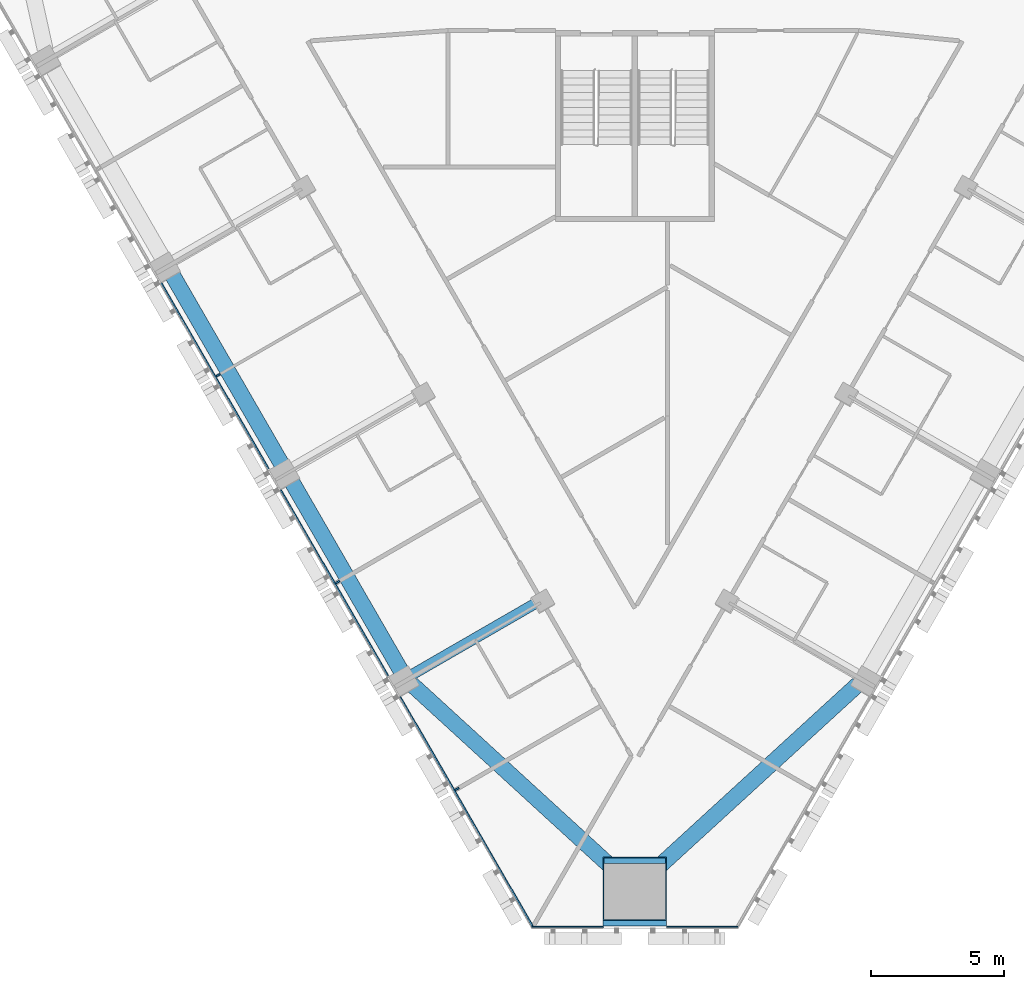
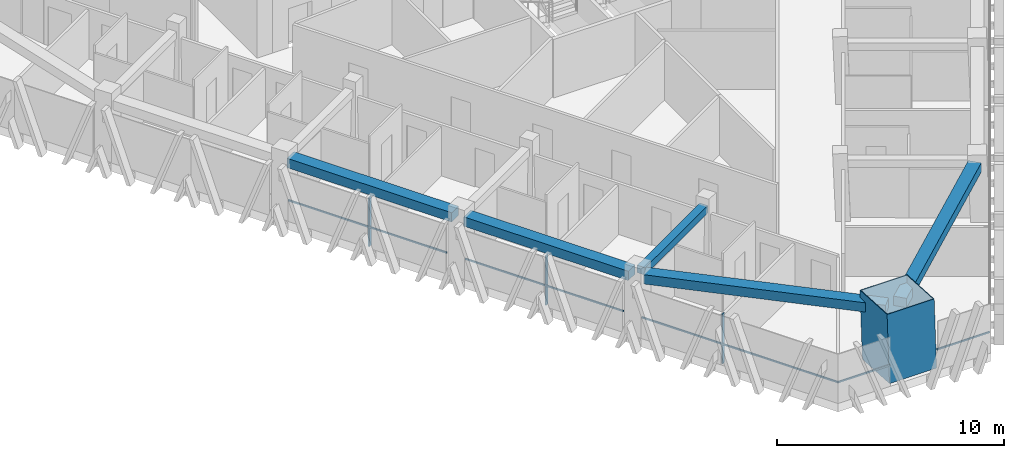
# One storey, part 2 of 16: 9 members, 5 beams, 2 elements without a shape of their own.
"""IFC4 building model written with IfcOpenShell, lengths in metres."""

from ifc_helpers import new_model, si_unit, direction, frame, origin, origin_2d, place, context, subcontext, project, spatial, rectangle, hollow_rectangle, extrude, material, layer, layer_set, material_profile, profile_set, type_object, element, aggregate, save


model = new_model("IFC4")

# Units and contexts
model_context = context("Model", 3, precision=1e-05, world=origin(), true_north=direction((0.0, 1.0)))
body_context = subcontext(model_context, "Body", "Model", "MODEL_VIEW")
ifc_project = project(units=[si_unit("LENGTHUNIT", "METRE"), si_unit("AREAUNIT", "SQUARE_METRE"), si_unit("VOLUMEUNIT", "CUBIC_METRE"), si_unit("PLANEANGLEUNIT", "RADIAN"), si_unit("MASSUNIT", "GRAM", prefix="KILO")], contexts=[model_context])

# Site, building, storey
site_placement = place(None, origin())
site = spatial("IfcSite", under=ifc_project, at=site_placement, CompositionType="ELEMENT")
building_placement = place(site_placement, origin())
building = spatial("IfcBuilding", under=site, at=building_placement, Name="Altiplano Prism Tower", CompositionType="ELEMENT")
storey_placement = place(building_placement, frame((0.0, 0.0, 131.39990234375)))
storey = spatial("IfcBuildingStorey", under=building, at=storey_placement, Name="L33", CompositionType="ELEMENT", Elevation=131.39990234375)

# Curtain wall, members
ifc_material_1 = material(Name="Aluminium and glass", Category="aluminium")
ifc_layer = layer(ifc_material_1, 0.280029296875)
ifc_layer_set = layer_set([ifc_layer], Name="Aluminium and glass")
curtain_wall_type = type_object("IfcCurtainWallType", Name="CW1 typical co-living unitised curtain wall", PredefinedType="NOTDEFINED", material=ifc_layer_set)
curtain_wall_1_placement = place(storey_placement, origin())
curtain_wall_1 = element("IfcCurtainWall", 1, at=curtain_wall_1_placement, inside=storey, type_object=curtain_wall_type, Name="CW1 curtain wall south-west face L33", PredefinedType="NOTDEFINED")
ifc_material_2 = material(Name="Aluminium", Category="aluminium")
ifc_material_profile_1 = material_profile(ifc_material_2, rectangle(XDim=0.179931640625, YDim=0.06494140625, at=origin_2d()), Name="CW1 mullion 65 x 180")
ifc_profile_set_1 = profile_set([ifc_material_profile_1], Name="Aluminium")
member_type_1 = type_object("IfcMemberType", Name="CW1 mullion 65 x 180", PredefinedType="MULLION", material=ifc_profile_set_1)
member_1_placement = place(storey_placement, frame((69.297607421875, 77.61279296875, 0.0), z_axis=(0.0, 0.0, 1.0), x_axis=(0.86602540251, 0.500000002207, 0.0)))
member_1 = element("IfcMember", 2, at=member_1_placement, type_object=member_type_1, Name="CW1 mullion", PredefinedType="MULLION", context=body_context, shape_type="SweptSolid", body=[
    extrude(rectangle(XDim=0.179931640625, YDim=0.06494140625, at=origin_2d()), origin(), (0.0, 0.0, 1.0), 2.650146484375),
])
member_2_placement = place(storey_placement, frame((73.797607421875, 69.818603515625, 0.0), z_axis=(0.0, 0.0, 1.0), x_axis=(0.86602540251, 0.500000002207, 0.0)))
member_2 = element("IfcMember", 3, at=member_2_placement, type_object=member_type_1, Name="CW1 mullion", PredefinedType="MULLION", context=body_context, shape_type="SweptSolid", body=[
    extrude(rectangle(XDim=0.179931640625, YDim=0.06494140625, at=origin_2d()), origin(), (0.0, 0.0, 1.0), 2.650146484375),
])
member_3_placement = place(storey_placement, frame((78.297607421875, 62.0244140625, 0.0), z_axis=(0.0, 0.0, 1.0), x_axis=(0.86602540251, 0.500000002207, 0.0)))
member_3 = element("IfcMember", 4, at=member_3_placement, type_object=member_type_1, Name="CW1 mullion", PredefinedType="MULLION", context=body_context, shape_type="SweptSolid", body=[
    extrude(rectangle(XDim=0.179931640625, YDim=0.06494140625, at=origin_2d()), origin(), (0.0, 0.0, 1.0), 2.650146484375),
])
ifc_material_profile_2 = material_profile(ifc_material_2, rectangle(XDim=0.06005859375, YDim=0.080078125, at=origin_2d()), Name="CW1 transom 80 x 60")
ifc_profile_set_2 = profile_set([ifc_material_profile_2], Name="Aluminium")
member_type_2 = type_object("IfcMemberType", Name="CW1 transom 80 x 60", PredefinedType="USERDEFINED", material=ifc_profile_set_2)
member_4_placement = place(storey_placement, frame((67.156494140625, 81.081298828125, 1.10009765625), z_axis=(0.500017497958, -0.866015301098, 0.0), x_axis=(0.866015301098, 0.500017497958, 0.0)))
member_4 = element("IfcMember", 5, at=member_4_placement, type_object=member_type_2, Name="CW1 transom", ObjectType="TRANSOM", PredefinedType="USERDEFINED", context=body_context, shape_type="SweptSolid", body=[
    extrude(rectangle(XDim=0.06005859375, YDim=0.080078125, at=origin_2d()), origin(), (0.0, 0.0, 1.0), 8.070068359375),
])
member_5_placement = place(storey_placement, frame((71.656494140625, 73.287109375, 1.10009765625), z_axis=(0.500017497958, -0.866015301098, 0.0), x_axis=(0.866015301098, 0.500017497958, 0.0)))
member_5 = element("IfcMember", 6, at=member_5_placement, type_object=member_type_2, Name="CW1 transom", ObjectType="TRANSOM", PredefinedType="USERDEFINED", context=body_context, shape_type="SweptSolid", body=[
    extrude(rectangle(XDim=0.06005859375, YDim=0.080078125, at=origin_2d()), origin(), (0.0, 0.0, 1.0), 8.070068359375),
])
member_6_placement = place(storey_placement, frame((76.156494140625, 65.492919921875, 1.10009765625), z_axis=(0.500012221766, -0.86601834743, 0.0), x_axis=(0.86601834743, 0.500012221766, 0.0)))
member_6 = element("IfcMember", 7, at=member_6_placement, type_object=member_type_2, Name="CW1 transom", ObjectType="TRANSOM", PredefinedType="USERDEFINED", context=body_context, shape_type="SweptSolid", body=[
    extrude(rectangle(XDim=0.06005859375, YDim=0.080078125, at=origin_2d()), origin(), (0.0, 0.0, 1.0), 10.040283203125),
])
aggregate(curtain_wall_1, [member_1, member_4, member_2, member_5, member_3, member_6])

curtain_wall_2_placement = place(storey_placement, origin())
curtain_wall_2 = element("IfcCurtainWall", 8, at=curtain_wall_2_placement, inside=storey, type_object=curtain_wall_type, Name="CW1 curtain wall south chamfer L33", PredefinedType="NOTDEFINED")
member_7_placement = place(storey_placement, frame((81.115966796875, 56.832763671875, 1.10009765625), z_axis=(1.0, 0.0, 0.0), x_axis=(0.0, 1.0, 0.0)))
member_7 = element("IfcMember", 9, at=member_7_placement, type_object=member_type_2, Name="CW1 transom", ObjectType="TRANSOM", PredefinedType="USERDEFINED", context=body_context, shape_type="SweptSolid", body=[
    extrude(rectangle(XDim=0.06005859375, YDim=0.080078125, at=origin_2d()), origin(), (0.0, 0.0, 1.0), 2.68408203125),
])
member_8_placement = place(storey_placement, frame((86.199951171875, 56.832763671875, 1.10009765625), z_axis=(1.0, 0.0, 0.0), x_axis=(0.0, 1.0, 0.0)))
member_8 = element("IfcMember", 10, at=member_8_placement, type_object=member_type_2, Name="CW1 transom", ObjectType="TRANSOM", PredefinedType="USERDEFINED", context=body_context, shape_type="SweptSolid", body=[
    extrude(rectangle(XDim=0.06005859375, YDim=0.080078125, at=origin_2d()), origin(), (0.0, 0.0, 1.0), 2.68408203125),
])
aggregate(curtain_wall_2, [member_7, member_8])

# Beams
ifc_material_3 = material(Name="Concrete C60/75", Category="concrete")
ifc_material_profile_3 = material_profile(ifc_material_3, rectangle(XDim=0.60009765625, YDim=0.5, at=origin_2d()), Name="Edge beam 600x500")
ifc_profile_set_3 = profile_set([ifc_material_profile_3], Name="Concrete C60/75")
beam_type_1 = type_object("IfcBeamType", Name="Edge beam 600x500", PredefinedType="SPANDREL", material=ifc_profile_set_3)
for number, where, z_axis, x_axis, name in (
    (11, (67.50537109375, 81.514404296875, 2.900146484375), (0.499997845736, -0.866026647546, 0.0), (0.866026647546, 0.499997845736, 0.0), "Edge beam P12-P13 L34"),
    (12, (72.00537109375, 73.72021484375, 2.900146484375), (0.499997845736, -0.866026647546, 0.0), (0.866026647546, 0.499997845736, 0.0), "Edge beam P13-P14 L34"),
):
    element("IfcBeam", number, at=place(storey_placement, frame(where, z_axis=z_axis, x_axis=x_axis)), inside=storey, type_object=beam_type_1, Name=name, PredefinedType="SPANDREL", context=body_context, shape_type="SweptSolid", body=[
        extrude(rectangle(XDim=0.60009765625, YDim=0.5, at=origin_2d()), origin(), (0.0, 0.0, 1.0), 8.39013671875),
    ])
for number, where, z_axis, x_axis, name in (
    (13, (76.593017578125, 65.97021484375, 2.900146484375), (0.737572384676, -0.675268078146, 0.0), (0.675268078146, 0.737572384676, 0.0), "Edge beam P14-M1 L34"),
    (14, (85.331787109375, 58.5771484375, 2.900146484375), (0.737572384676, 0.675268078146, 0.0), (-0.675268078146, 0.737572384676, 0.0), "Edge beam M1-P21 L34"),
):
    element("IfcBeam", number, at=place(storey_placement, frame(where, z_axis=z_axis, x_axis=x_axis)), inside=storey, type_object=beam_type_1, Name=name, PredefinedType="SPANDREL", context=body_context, shape_type="SweptSolid", body=[
        extrude(rectangle(XDim=0.60009765625, YDim=0.5, at=origin_2d()), origin(), (0.0, 0.0, 1.0), 10.9482421875),
    ])

# Member
ifc_material_4 = material(Name="Steel S460", Category="steel")
ifc_material_profile_4 = material_profile(ifc_material_4, hollow_rectangle(XDim=2.39990234375, YDim=2.39990234375, WallThickness=0.0400390625, at=origin_2d()), Name="Mega column tube 2400")
ifc_profile_set_4 = profile_set([ifc_material_profile_4], Name="Steel S460")
member_type_3 = type_object("IfcMemberType", Name="Mega column tube 2400", PredefinedType="POST", material=ifc_profile_set_4)
member_9_placement = place(storey_placement, frame((85.0, 58.062744140625, 0.0), z_axis=(0.0, 0.058356907999, 0.998295783467), x_axis=(-1.0, 0.0, 0.0)))
element("IfcMember", 15, at=member_9_placement, inside=storey, type_object=member_type_3, Name="Mega column tube M1 L33", PredefinedType="POST", context=body_context, shape_type="SweptSolid", body=[
    extrude(hollow_rectangle(XDim=2.39990234375, YDim=2.39990234375, WallThickness=0.0400390625, at=origin_2d()), origin(), (0.0, 0.0, 1.0), 3.606201171875),
])

# Beam
ifc_material_profile_5 = material_profile(ifc_material_3, rectangle(XDim=0.39990234375, YDim=0.39990234375, at=origin_2d()), Name="Tie beam 400x400")
ifc_profile_set_5 = profile_set([ifc_material_profile_5], Name="Concrete C60/75")
beam_type_2 = type_object("IfcBeamType", Name="Tie beam 400x400", PredefinedType="BEAM", material=ifc_profile_set_5)
beam_placement = place(storey_placement, frame((81.414794921875, 69.112548828125, 2.9501953125), z_axis=(-0.866027073272, -0.499997108352, 0.0), x_axis=(0.499997108352, -0.866027073272, 0.0)))
element("IfcBeam", 16, at=beam_placement, inside=storey, type_object=beam_type_2, Name="Tie beam I14 L34", PredefinedType="BEAM", context=body_context, shape_type="SweptSolid", body=[
    extrude(rectangle(XDim=0.39990234375, YDim=0.39990234375, at=origin_2d()), origin(), (0.0, 0.0, 1.0), 5.5400390625),
])

save(model, "model.ifc")
